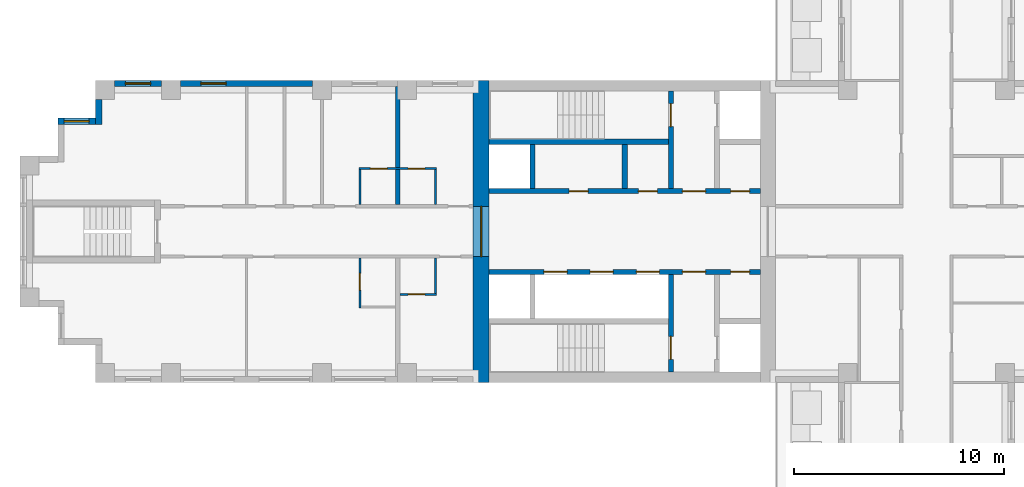
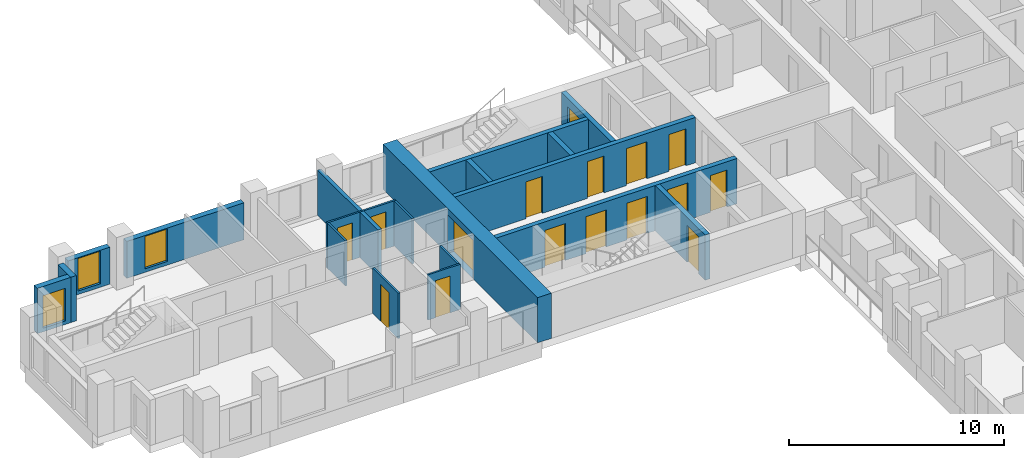
# One storey, part 6 of 15: 19 walls, 16 doors, 3 windows, 19 openings.
"""IFC4 building model written with IfcOpenShell, lengths in metres."""

from ifc_helpers import new_model, si_unit, direction, frame, frame_2d, origin, place, context, subcontext, project, spatial, rectangle, extrude, material, layer, layer_set, type_object, element, fill, save


model = new_model("IFC4")

# Units and contexts
model_context = context("Model", 3, precision=1e-05, world=origin(), true_north=direction((0.0, 1.0)))
body_context = subcontext(model_context, "Body", "Model", "MODEL_VIEW")
ifc_project = project(units=[si_unit("LENGTHUNIT", "METRE"), si_unit("AREAUNIT", "SQUARE_METRE"), si_unit("VOLUMEUNIT", "CUBIC_METRE"), si_unit("PLANEANGLEUNIT", "RADIAN"), si_unit("MASSUNIT", "GRAM", prefix="KILO")], contexts=[model_context])

# Site, building, storey
site_placement = place(None, origin())
site = spatial("IfcSite", under=ifc_project, at=site_placement, CompositionType="ELEMENT")
building_placement = place(site_placement, origin())
building = spatial("IfcBuilding", under=site, at=building_placement, Name="Fustian Cross Tower", CompositionType="ELEMENT")
storey_placement = place(building_placement, frame((0.0, 0.0, 50.699951171875)))
storey = spatial("IfcBuildingStorey", under=building, at=storey_placement, Name="L15", CompositionType="ELEMENT", Elevation=50.699951171875)

# Wall, opening, door
ifc_material_1 = material(Name="Concrete C80/95", Category="concrete")
ifc_layer_1 = layer(ifc_material_1, 0.75)
ifc_layer_set_1 = layer_set([ifc_layer_1], Name="Concrete C80/95")
wall_type_1 = type_object("IfcWallType", Name="CORE END WALL 750 C80/95", PredefinedType="SHEAR", material=ifc_layer_set_1)
wall_1_placement = place(storey_placement, frame((-21.22509765625, -7.199951171875, 0.0), z_axis=(0.0, 0.0, 1.0), x_axis=(0.0, 1.0, 0.0)))
wall_1 = element("IfcWall", 1, at=wall_1_placement, inside=storey, type_object=wall_type_1, Name="Core end wall", PredefinedType="SHEAR", context=body_context, shape_type="SweptSolid", body=[
    extrude(rectangle(XDim=14.39990234375, YDim=0.75, at=frame_2d((7.199951171875, 0.0))), origin(), (0.0, 0.0, 1.0), 2.574951171875),
])
opening_1_placement = place(wall_1_placement, frame((6.0, 0.0, 0.0)))
opening_1 = element("IfcOpeningElement", 2, at=opening_1_placement, cuts=wall_1, Name="Opening CD-05-28", PredefinedType="OPENING", context=body_context, shape_type="SweptSolid", body=[
    extrude(rectangle(XDim=2.39990234375, YDim=2.199951171875, at=frame_2d((1.199951171875, 1.10009765625))), frame((0.0, 0.385009765625, 0.0), z_axis=(0.0, -1.0, 0.0), x_axis=(1.0, 0.0, 0.0)), (0.0, 0.0, 1.0), 0.77001953125),
])
ifc_material_2 = material(Name="Steel", Category="steel")
door_type_1 = type_object("IfcDoorType", Name="FIRE DOOR FD30S DOUBLE 2400X2200", OperationType="DOUBLE_DOOR_DOUBLE_SWING", PredefinedType="DOOR", material=ifc_material_2)
door_1_placement = place(opening_1_placement, frame((2.39990234375, 0.0, 0.0), z_axis=(0.0, 0.0, 1.0), x_axis=(-1.0, 0.0, 0.0)))
door_1 = element("IfcDoor", 3, at=door_1_placement, inside=storey, type_object=door_type_1, Name="Core door CD-05-28", OperationType="DOUBLE_DOOR_DOUBLE_SWING", OverallHeight=2.199951171875, OverallWidth=2.39990234375, PredefinedType="DOOR", context=body_context, shape_type="SweptSolid", body=[
    extrude(rectangle(XDim=2.39990234375, YDim=2.199951171875, at=frame_2d((1.199951171875, 1.10009765625))), frame((0.0, 0.02490234375, 0.0), z_axis=(0.0, -1.0, 0.0), x_axis=(1.0, 0.0, 0.0)), (0.0, 0.0, 1.0), 0.050048828125),
])
fill(opening_1, door_1)

# Wall, openings, doors
ifc_material_3 = material(Name="Concrete C50/60", Category="concrete")
ifc_layer_2 = layer(ifc_material_3, 0.25)
ifc_layer_set_2 = layer_set([ifc_layer_2], Name="Concrete C50/60")
wall_type_2 = type_object("IfcWallType", Name="CORE LOBBY WALL 250 C50/60", PredefinedType="SHEAR", material=ifc_layer_set_2)
wall_2_placement = place(storey_placement, frame((-7.89990234375, 1.925048828125, 0.0), z_axis=(0.0, 0.0, 1.0), x_axis=(-1.0, 0.0, 0.0)))
wall_2 = element("IfcWall", 4, at=wall_2_placement, inside=storey, type_object=wall_type_2, Name="Core lobby wall", PredefinedType="SHEAR", context=body_context, shape_type="SweptSolid", body=[
    extrude(rectangle(XDim=12.9501953125, YDim=0.25, at=frame_2d((6.47509765625, 0.0))), origin(), (0.0, 0.0, 1.0), 2.574951171875),
])
opening_2_placement = place(wall_2_placement, frame((0.52490234375, 0.0, 0.0)))
opening_2 = element("IfcOpeningElement", 5, at=opening_2_placement, cuts=wall_2, Name="Opening CD-05-23", PredefinedType="OPENING", context=body_context, shape_type="SweptSolid", body=[
    extrude(rectangle(XDim=0.89990234375, YDim=2.10009765625, at=frame_2d((0.449951171875, 1.050048828125))), frame((0.0, 0.135009765625, 0.0), z_axis=(0.0, -1.0, 0.0), x_axis=(1.0, 0.0, 0.0)), (0.0, 0.0, 1.0), 0.27001953125),
])
opening_3_placement = place(wall_2_placement, frame((2.625, 0.0, 0.0)))
opening_3 = element("IfcOpeningElement", 6, at=opening_3_placement, cuts=wall_2, Name="Opening CD-05-25", PredefinedType="OPENING", context=body_context, shape_type="SweptSolid", body=[
    extrude(rectangle(XDim=1.10009765625, YDim=2.10009765625, at=frame_2d((0.550048828125, 1.050048828125))), frame((0.0, 0.135009765625, 0.0), z_axis=(0.0, -1.0, 0.0), x_axis=(1.0, 0.0, 0.0)), (0.0, 0.0, 1.0), 0.27001953125),
])
opening_4_placement = place(wall_2_placement, frame((4.925048828125, 0.0, 0.0)))
opening_4 = element("IfcOpeningElement", 7, at=opening_4_placement, cuts=wall_2, Name="Opening CD-05-29", PredefinedType="OPENING", context=body_context, shape_type="SweptSolid", body=[
    extrude(rectangle(XDim=0.89990234375, YDim=2.10009765625, at=frame_2d((0.449951171875, 1.050048828125))), frame((0.0, 0.135009765625, 0.0), z_axis=(0.0, -1.0, 0.0), x_axis=(1.0, 0.0, 0.0)), (0.0, 0.0, 1.0), 0.27001953125),
])
opening_5_placement = place(wall_2_placement, frame((8.22509765625, 0.0, 0.0)))
opening_5 = element("IfcOpeningElement", 8, at=opening_5_placement, cuts=wall_2, Name="Opening CD-05-30", PredefinedType="OPENING", context=body_context, shape_type="SweptSolid", body=[
    extrude(rectangle(XDim=0.89990234375, YDim=2.10009765625, at=frame_2d((0.449951171875, 1.050048828125))), frame((0.0, 0.135009765625, 0.0), z_axis=(0.0, -1.0, 0.0), x_axis=(1.0, 0.0, 0.0)), (0.0, 0.0, 1.0), 0.27001953125),
])
ifc_material_4 = material(Name="Steel", Category="steel")
door_type_2 = type_object("IfcDoorType", Name="FIRE DOOR FD30S 900X2100", OperationType="SINGLE_SWING_LEFT", PredefinedType="DOOR", material=ifc_material_4)
door_2_placement = place(opening_4_placement, frame((0.89990234375, 0.0, 0.0), z_axis=(0.0, 0.0, 1.0), x_axis=(-1.0, 0.0, 0.0)))
door_2 = element("IfcDoor", 9, at=door_2_placement, inside=storey, type_object=door_type_2, Name="Core door CD-05-29", OperationType="SINGLE_SWING_RIGHT", OverallHeight=2.10009765625, OverallWidth=0.89990234375, PredefinedType="DOOR", context=body_context, shape_type="SweptSolid", body=[
    extrude(rectangle(XDim=0.89990234375, YDim=2.10009765625, at=frame_2d((0.449951171875, 1.050048828125))), frame((0.0, 0.02490234375, 0.0), z_axis=(0.0, -1.0, 0.0), x_axis=(1.0, 0.0, 0.0)), (0.0, 0.0, 1.0), 0.050048828125),
])
fill(opening_4, door_2)
door_3_placement = place(opening_5_placement, frame((0.89990234375, 0.0, 0.0), z_axis=(0.0, 0.0, 1.0), x_axis=(-1.0, 0.0, 0.0)))
door_3 = element("IfcDoor", 10, at=door_3_placement, inside=storey, type_object=door_type_2, Name="Core door CD-05-30", OperationType="SINGLE_SWING_LEFT", OverallHeight=2.10009765625, OverallWidth=0.89990234375, PredefinedType="DOOR", context=body_context, shape_type="SweptSolid", body=[
    extrude(rectangle(XDim=0.89990234375, YDim=2.10009765625, at=frame_2d((0.449951171875, 1.050048828125))), frame((0.0, 0.02490234375, 0.0), z_axis=(0.0, -1.0, 0.0), x_axis=(1.0, 0.0, 0.0)), (0.0, 0.0, 1.0), 0.050048828125),
])
fill(opening_5, door_3)
ifc_material_5 = material(Name="Steel", Category="steel")
door_type_3 = type_object("IfcDoorType", Name="FIRE DOOR FD60S 1100X2100", OperationType="SINGLE_SWING_LEFT", PredefinedType="DOOR", material=ifc_material_5)
door_4_placement = place(opening_3_placement, frame((1.10009765625, 0.0, 0.0), z_axis=(0.0, 0.0, 1.0), x_axis=(-1.0, 0.0, 0.0)))
door_4 = element("IfcDoor", 11, at=door_4_placement, inside=storey, type_object=door_type_3, Name="Core door CD-05-25", OperationType="SINGLE_SWING_RIGHT", OverallHeight=2.10009765625, OverallWidth=1.10009765625, PredefinedType="DOOR", context=body_context, shape_type="SweptSolid", body=[
    extrude(rectangle(XDim=1.10009765625, YDim=2.10009765625, at=frame_2d((0.550048828125, 1.050048828125))), frame((0.0, 0.02490234375, 0.0), z_axis=(0.0, -1.0, 0.0), x_axis=(1.0, 0.0, 0.0)), (0.0, 0.0, 1.0), 0.050048828125),
])
fill(opening_3, door_4)
ifc_material_6 = material(Name="Steel", Category="steel")
door_type_4 = type_object("IfcDoorType", Name="FIRE DOOR FD60S 900X2100", OperationType="SINGLE_SWING_LEFT", PredefinedType="DOOR", material=ifc_material_6)
door_5_placement = place(opening_2_placement, frame((0.89990234375, 0.0, 0.0), z_axis=(0.0, 0.0, 1.0), x_axis=(-1.0, 0.0, 0.0)))
door_5 = element("IfcDoor", 12, at=door_5_placement, inside=storey, type_object=door_type_4, Name="Core door CD-05-23", OperationType="SINGLE_SWING_RIGHT", OverallHeight=2.10009765625, OverallWidth=0.89990234375, PredefinedType="DOOR", context=body_context, shape_type="SweptSolid", body=[
    extrude(rectangle(XDim=0.89990234375, YDim=2.10009765625, at=frame_2d((0.449951171875, 1.050048828125))), frame((0.0, 0.02490234375, 0.0), z_axis=(0.0, -1.0, 0.0), x_axis=(1.0, 0.0, 0.0)), (0.0, 0.0, 1.0), 0.050048828125),
])
fill(opening_2, door_5)

wall_3_placement = place(storey_placement, frame((-7.89990234375, -1.925048828125, 0.0), z_axis=(0.0, 0.0, 1.0), x_axis=(-1.0, 0.0, 0.0)))
wall_3 = element("IfcWall", 13, at=wall_3_placement, inside=storey, type_object=wall_type_2, Name="Core lobby wall", PredefinedType="SHEAR", context=body_context, shape_type="SweptSolid", body=[
    extrude(rectangle(XDim=12.9501953125, YDim=0.25, at=frame_2d((6.47509765625, 0.0))), origin(), (0.0, 0.0, 1.0), 2.574951171875),
])
opening_6_placement = place(wall_3_placement, frame((4.824951171875, 0.0, 0.0)))
opening_6 = element("IfcOpeningElement", 14, at=opening_6_placement, cuts=wall_3, Name="Opening LD", PredefinedType="OPENING", context=body_context, shape_type="SweptSolid", body=[
    extrude(rectangle(XDim=1.10009765625, YDim=2.10009765625, at=frame_2d((0.550048828125, 1.050048828125))), frame((0.0, 0.135009765625, 0.0), z_axis=(0.0, -1.0, 0.0), x_axis=(1.0, 0.0, 0.0)), (0.0, 0.0, 1.0), 0.27001953125),
])
opening_7_placement = place(wall_3_placement, frame((7.02490234375, 0.0, 0.0)))
opening_7 = element("IfcOpeningElement", 15, at=opening_7_placement, cuts=wall_3, Name="Opening LD", PredefinedType="OPENING", context=body_context, shape_type="SweptSolid", body=[
    extrude(rectangle(XDim=1.10009765625, YDim=2.10009765625, at=frame_2d((0.550048828125, 1.050048828125))), frame((0.0, 0.135009765625, 0.0), z_axis=(0.0, -1.0, 0.0), x_axis=(1.0, 0.0, 0.0)), (0.0, 0.0, 1.0), 0.27001953125),
])
opening_8_placement = place(wall_3_placement, frame((9.22509765625, 0.0, 0.0)))
opening_8 = element("IfcOpeningElement", 16, at=opening_8_placement, cuts=wall_3, Name="Opening LD", PredefinedType="OPENING", context=body_context, shape_type="SweptSolid", body=[
    extrude(rectangle(XDim=1.10009765625, YDim=2.10009765625, at=frame_2d((0.550048828125, 1.050048828125))), frame((0.0, 0.135009765625, 0.0), z_axis=(0.0, -1.0, 0.0), x_axis=(1.0, 0.0, 0.0)), (0.0, 0.0, 1.0), 0.27001953125),
])
opening_9_placement = place(wall_3_placement, frame((0.52490234375, 0.0, 0.0)))
opening_9 = element("IfcOpeningElement", 17, at=opening_9_placement, cuts=wall_3, Name="Opening CD-05-24", PredefinedType="OPENING", context=body_context, shape_type="SweptSolid", body=[
    extrude(rectangle(XDim=0.89990234375, YDim=2.10009765625, at=frame_2d((0.449951171875, 1.050048828125))), frame((0.0, 0.135009765625, 0.0), z_axis=(0.0, -1.0, 0.0), x_axis=(1.0, 0.0, 0.0)), (0.0, 0.0, 1.0), 0.27001953125),
])
opening_10_placement = place(wall_3_placement, frame((2.625, 0.0, 0.0)))
opening_10 = element("IfcOpeningElement", 18, at=opening_10_placement, cuts=wall_3, Name="Opening CD-05-26", PredefinedType="OPENING", context=body_context, shape_type="SweptSolid", body=[
    extrude(rectangle(XDim=1.10009765625, YDim=2.10009765625, at=frame_2d((0.550048828125, 1.050048828125))), frame((0.0, 0.135009765625, 0.0), z_axis=(0.0, -1.0, 0.0), x_axis=(1.0, 0.0, 0.0)), (0.0, 0.0, 1.0), 0.27001953125),
])
ifc_material_7 = material(Name="Steel", Category="steel")
door_type_5 = type_object("IfcDoorType", Name="FIRE DOOR FD30S 1100X2100", OperationType="SINGLE_SWING_LEFT", PredefinedType="DOOR", material=ifc_material_7)
door_6_placement = place(opening_10_placement, frame((1.10009765625, 0.0, 0.0), z_axis=(0.0, 0.0, 1.0), x_axis=(-1.0, 0.0, 0.0)))
door_6 = element("IfcDoor", 19, at=door_6_placement, inside=storey, type_object=door_type_5, Name="Core door CD-05-26", OperationType="SINGLE_SWING_RIGHT", OverallHeight=2.10009765625, OverallWidth=1.10009765625, PredefinedType="DOOR", context=body_context, shape_type="SweptSolid", body=[
    extrude(rectangle(XDim=1.10009765625, YDim=2.10009765625, at=frame_2d((0.550048828125, 1.050048828125))), frame((0.0, 0.02490234375, 0.0), z_axis=(0.0, -1.0, 0.0), x_axis=(1.0, 0.0, 0.0)), (0.0, 0.0, 1.0), 0.050048828125),
])
fill(opening_10, door_6)
door_7_placement = place(opening_9_placement, origin())
door_7 = element("IfcDoor", 20, at=door_7_placement, inside=storey, type_object=door_type_2, Name="Core door CD-05-24", OperationType="SINGLE_SWING_LEFT", OverallHeight=2.10009765625, OverallWidth=0.89990234375, PredefinedType="DOOR", context=body_context, shape_type="SweptSolid", body=[
    extrude(rectangle(XDim=0.89990234375, YDim=2.10009765625, at=frame_2d((0.449951171875, 1.050048828125))), frame((0.0, 0.02490234375, 0.0), z_axis=(0.0, -1.0, 0.0), x_axis=(1.0, 0.0, 0.0)), (0.0, 0.0, 1.0), 0.050048828125),
])
fill(opening_9, door_7)
ifc_material_8 = material(Name="Stainless steel", Category="steel")
door_type_6 = type_object("IfcDoorType", Name="LIFT LANDING DOOR 1100X2100", OperationType="SLIDING_TO_LEFT", PredefinedType="DOOR", material=ifc_material_8)
door_8_placement = place(opening_6_placement, origin())
door_8 = element("IfcDoor", 21, at=door_8_placement, inside=storey, type_object=door_type_6, Name="Landing door LR1W", OperationType="SLIDING_TO_LEFT", OverallHeight=2.10009765625, OverallWidth=1.10009765625, PredefinedType="DOOR", context=body_context, shape_type="SweptSolid", body=[
    extrude(rectangle(XDim=1.10009765625, YDim=2.10009765625, at=frame_2d((0.550048828125, 1.050048828125))), frame((0.0, 0.02490234375, 0.0), z_axis=(0.0, -1.0, 0.0), x_axis=(1.0, 0.0, 0.0)), (0.0, 0.0, 1.0), 0.050048828125),
])
fill(opening_6, door_8)
door_9_placement = place(opening_7_placement, origin())
door_9 = element("IfcDoor", 22, at=door_9_placement, inside=storey, type_object=door_type_6, Name="Landing door LR2W", OperationType="SLIDING_TO_LEFT", OverallHeight=2.10009765625, OverallWidth=1.10009765625, PredefinedType="DOOR", context=body_context, shape_type="SweptSolid", body=[
    extrude(rectangle(XDim=1.10009765625, YDim=2.10009765625, at=frame_2d((0.550048828125, 1.050048828125))), frame((0.0, 0.02490234375, 0.0), z_axis=(0.0, -1.0, 0.0), x_axis=(1.0, 0.0, 0.0)), (0.0, 0.0, 1.0), 0.050048828125),
])
fill(opening_7, door_9)
door_10_placement = place(opening_8_placement, origin())
door_10 = element("IfcDoor", 23, at=door_10_placement, inside=storey, type_object=door_type_6, Name="Landing door LR3W", OperationType="SLIDING_TO_LEFT", OverallHeight=2.10009765625, OverallWidth=1.10009765625, PredefinedType="DOOR", context=body_context, shape_type="SweptSolid", body=[
    extrude(rectangle(XDim=1.10009765625, YDim=2.10009765625, at=frame_2d((0.550048828125, 1.050048828125))), frame((0.0, 0.02490234375, 0.0), z_axis=(0.0, -1.0, 0.0), x_axis=(1.0, 0.0, 0.0)), (0.0, 0.0, 1.0), 0.050048828125),
])
fill(opening_8, door_10)

# Wall
ifc_material_9 = material(Name="Concrete C50/60", Category="concrete")
ifc_layer_3 = layer(ifc_material_9, 0.25)
ifc_layer_set_3 = layer_set([ifc_layer_3], Name="Concrete C50/60")
wall_type_3 = type_object("IfcWallType", Name="CORE SHAFT WALL 250 C50/60", PredefinedType="SHEAR", material=ifc_layer_set_3)
wall_4_placement = place(storey_placement, frame((-12.300048828125, 4.27490234375, 0.0), z_axis=(0.0, 0.0, 1.0), x_axis=(-1.0, 0.0, 0.0)))
element("IfcWall", 24, at=wall_4_placement, inside=storey, type_object=wall_type_3, Name="Core shaft wall", PredefinedType="SHEAR", context=body_context, shape_type="SweptSolid", body=[
    extrude(rectangle(XDim=8.550048828125, YDim=0.25, at=frame_2d((4.27490234375, 0.0))), origin(), (0.0, 0.0, 1.0), 2.574951171875),
])

# Wall, opening, door
wall_5_placement = place(storey_placement, frame((-12.175048828125, 2.050048828125, 0.0), z_axis=(0.0, 0.0, 1.0), x_axis=(0.0, 1.0, 0.0)))
wall_5 = element("IfcWall", 25, at=wall_5_placement, inside=storey, type_object=wall_type_3, Name="Core shaft wall", PredefinedType="SHEAR", context=body_context, shape_type="SweptSolid", body=[
    extrude(rectangle(XDim=4.64990234375, YDim=0.25, at=frame_2d((2.324951171875, 0.0))), origin(), (0.0, 0.0, 1.0), 2.574951171875),
])
opening_11_placement = place(wall_5_placement, frame((2.949951171875, 0.0, 0.0)))
opening_11 = element("IfcOpeningElement", 26, at=opening_11_placement, cuts=wall_5, Name="Opening CD-05-21", PredefinedType="OPENING", context=body_context, shape_type="SweptSolid", body=[
    extrude(rectangle(XDim=1.10009765625, YDim=2.10009765625, at=frame_2d((0.550048828125, 1.050048828125))), frame((0.0, 0.135009765625, 0.0), z_axis=(0.0, -1.0, 0.0), x_axis=(1.0, 0.0, 0.0)), (0.0, 0.0, 1.0), 0.27001953125),
])
door_11_placement = place(opening_11_placement, origin())
door_11 = element("IfcDoor", 27, at=door_11_placement, inside=storey, type_object=door_type_3, Name="Core door CD-05-21", OperationType="SINGLE_SWING_LEFT", OverallHeight=2.10009765625, OverallWidth=1.10009765625, PredefinedType="DOOR", context=body_context, shape_type="SweptSolid", body=[
    extrude(rectangle(XDim=1.10009765625, YDim=2.10009765625, at=frame_2d((0.550048828125, 1.050048828125))), frame((0.0, 0.02490234375, 0.0), z_axis=(0.0, -1.0, 0.0), x_axis=(1.0, 0.0, 0.0)), (0.0, 0.0, 1.0), 0.050048828125),
])
fill(opening_11, door_11)

wall_6_placement = place(storey_placement, frame((-12.175048828125, -2.050048828125, 0.0), z_axis=(0.0, 0.0, 1.0), x_axis=(0.0, -1.0, 0.0)))
wall_6 = element("IfcWall", 28, at=wall_6_placement, inside=storey, type_object=wall_type_3, Name="Core shaft wall", PredefinedType="SHEAR", context=body_context, shape_type="SweptSolid", body=[
    extrude(rectangle(XDim=4.64990234375, YDim=0.25, at=frame_2d((2.324951171875, 0.0))), origin(), (0.0, 0.0, 1.0), 2.574951171875),
])
opening_12_placement = place(wall_6_placement, frame((2.949951171875, 0.0, 0.0)))
opening_12 = element("IfcOpeningElement", 29, at=opening_12_placement, cuts=wall_6, Name="Opening CD-05-22", PredefinedType="OPENING", context=body_context, shape_type="SweptSolid", body=[
    extrude(rectangle(XDim=1.10009765625, YDim=2.10009765625, at=frame_2d((0.550048828125, 1.050048828125))), frame((0.0, 0.135009765625, 0.0), z_axis=(0.0, -1.0, 0.0), x_axis=(1.0, 0.0, 0.0)), (0.0, 0.0, 1.0), 0.27001953125),
])
door_12_placement = place(opening_12_placement, frame((1.10009765625, 0.0, 0.0), z_axis=(0.0, 0.0, 1.0), x_axis=(-1.0, 0.0, 0.0)))
door_12 = element("IfcDoor", 30, at=door_12_placement, inside=storey, type_object=door_type_3, Name="Core door CD-05-22", OperationType="SINGLE_SWING_RIGHT", OverallHeight=2.10009765625, OverallWidth=1.10009765625, PredefinedType="DOOR", context=body_context, shape_type="SweptSolid", body=[
    extrude(rectangle(XDim=1.10009765625, YDim=2.10009765625, at=frame_2d((0.550048828125, 1.050048828125))), frame((0.0, 0.02490234375, 0.0), z_axis=(0.0, -1.0, 0.0), x_axis=(1.0, 0.0, 0.0)), (0.0, 0.0, 1.0), 0.050048828125),
])
fill(opening_12, door_12)

ifc_material_10 = material(Name="Plasterboard on steel stud", Category="steel")
ifc_layer_4 = layer(ifc_material_10, 0.10009765625)
ifc_layer_set_4 = layer_set([ifc_layer_4], Name="Plasterboard on steel stud")
wall_type_4 = type_object("IfcWallType", Name="PARTITION 100 STUD", PredefinedType="PARTITIONING", material=ifc_layer_set_4)
wall_7_placement = place(storey_placement, frame((-27.0, -3.64990234375, 0.0), z_axis=(0.0, 0.0, 1.0), x_axis=(0.0, 1.0, 0.0)))
wall_7 = element("IfcWall", 31, at=wall_7_placement, inside=storey, type_object=wall_type_4, Name="Partition 7", PredefinedType="PARTITIONING", context=body_context, shape_type="SweptSolid", body=[
    extrude(rectangle(XDim=2.375, YDim=0.10009765625, at=frame_2d((1.1875, 0.0))), origin(), (0.0, 0.0, 1.0), 2.574951171875),
])
opening_13_placement = place(wall_7_placement, frame((0.85009765625, 0.0, 0.0)))
opening_13 = element("IfcOpeningElement", 32, at=opening_13_placement, cuts=wall_7, Name="Opening D08038", PredefinedType="OPENING", context=body_context, shape_type="SweptSolid", body=[
    extrude(rectangle(XDim=0.800048828125, YDim=2.10009765625, at=frame_2d((0.39990234375, 1.050048828125))), frame((0.0, 0.06005859375, 0.0), z_axis=(0.0, -1.0, 0.0), x_axis=(1.0, 0.0, 0.0)), (0.0, 0.0, 1.0), 0.1201171875),
])
ifc_material_11 = material(Name="Painted timber", Category="wood")
door_type_7 = type_object("IfcDoorType", Name="SWING DOOR 800", OperationType="SINGLE_SWING_LEFT", PredefinedType="DOOR", material=ifc_material_11)
door_13_placement = place(opening_13_placement, frame((0.800048828125, 0.0, 0.0), z_axis=(0.0, 0.0, 1.0), x_axis=(-1.0, 0.0, 0.0)))
door_13 = element("IfcDoor", 33, at=door_13_placement, inside=storey, type_object=door_type_7, Name="Door D08038", OperationType="SINGLE_SWING_RIGHT", OverallHeight=2.10009765625, OverallWidth=0.800048828125, PredefinedType="DOOR", context=body_context, shape_type="SweptSolid", body=[
    extrude(rectangle(XDim=0.800048828125, YDim=2.10009765625, at=frame_2d((0.39990234375, 1.050048828125))), frame((0.0, 0.02490234375, 0.0), z_axis=(0.0, -1.0, 0.0), x_axis=(1.0, 0.0, 0.0)), (0.0, 0.0, 1.0), 0.050048828125),
])
fill(opening_13, door_13)

# Wall
wall_8_placement = place(storey_placement, frame((-27.0, 1.27490234375, 0.0), z_axis=(0.0, 0.0, 1.0), x_axis=(0.0, 1.0, 0.0)))
element("IfcWall", 34, at=wall_8_placement, inside=storey, type_object=wall_type_4, Name="Partition 9", PredefinedType="PARTITIONING", context=body_context, shape_type="SweptSolid", body=[
    extrude(rectangle(XDim=1.675048828125, YDim=0.10009765625, at=frame_2d((0.83740234375, 0.0))), origin(), (0.0, 0.0, 1.0), 2.574951171875),
])

# Wall, openings, doors
wall_9_placement = place(storey_placement, frame((-27.050048828125, 3.0, 0.0), z_axis=(0.0, 0.0, 1.0), x_axis=(1.0, 0.0, 0.0)))
wall_9 = element("IfcWall", 35, at=wall_9_placement, inside=storey, type_object=wall_type_4, Name="Partition 10", PredefinedType="PARTITIONING", context=body_context, shape_type="SweptSolid", body=[
    extrude(rectangle(XDim=3.699951171875, YDim=0.10009765625, at=frame_2d((1.85009765625, 0.0))), origin(), (0.0, 0.0, 1.0), 2.574951171875),
])
opening_14_placement = place(wall_9_placement, frame((2.35009765625, 0.0, 0.0)))
opening_14 = element("IfcOpeningElement", 36, at=opening_14_placement, cuts=wall_9, Name="Opening D08041", PredefinedType="OPENING", context=body_context, shape_type="SweptSolid", body=[
    extrude(rectangle(XDim=0.800048828125, YDim=2.10009765625, at=frame_2d((0.39990234375, 1.050048828125))), frame((0.0, 0.06005859375, 0.0), z_axis=(0.0, -1.0, 0.0), x_axis=(1.0, 0.0, 0.0)), (0.0, 0.0, 1.0), 0.1201171875),
])
opening_15_placement = place(wall_9_placement, frame((0.550048828125, 0.0, 0.0)))
opening_15 = element("IfcOpeningElement", 37, at=opening_15_placement, cuts=wall_9, Name="Opening D08043", PredefinedType="OPENING", context=body_context, shape_type="SweptSolid", body=[
    extrude(rectangle(XDim=0.800048828125, YDim=2.10009765625, at=frame_2d((0.39990234375, 1.050048828125))), frame((0.0, 0.06005859375, 0.0), z_axis=(0.0, -1.0, 0.0), x_axis=(1.0, 0.0, 0.0)), (0.0, 0.0, 1.0), 0.1201171875),
])
door_14_placement = place(opening_14_placement, frame((0.800048828125, 0.0, 0.0), z_axis=(0.0, 0.0, 1.0), x_axis=(-1.0, 0.0, 0.0)))
door_14 = element("IfcDoor", 38, at=door_14_placement, inside=storey, type_object=door_type_7, Name="Door D08041", OperationType="SINGLE_SWING_LEFT", OverallHeight=2.10009765625, OverallWidth=0.800048828125, PredefinedType="DOOR", context=body_context, shape_type="SweptSolid", body=[
    extrude(rectangle(XDim=0.800048828125, YDim=2.10009765625, at=frame_2d((0.39990234375, 1.050048828125))), frame((0.0, 0.02490234375, 0.0), z_axis=(0.0, -1.0, 0.0), x_axis=(1.0, 0.0, 0.0)), (0.0, 0.0, 1.0), 0.050048828125),
])
fill(opening_14, door_14)
door_15_placement = place(opening_15_placement, frame((0.800048828125, 0.0, 0.0), z_axis=(0.0, 0.0, 1.0), x_axis=(-1.0, 0.0, 0.0)))
door_15 = element("IfcDoor", 39, at=door_15_placement, inside=storey, type_object=door_type_7, Name="Door D08043", OperationType="SINGLE_SWING_LEFT", OverallHeight=2.10009765625, OverallWidth=0.800048828125, PredefinedType="DOOR", context=body_context, shape_type="SweptSolid", body=[
    extrude(rectangle(XDim=0.800048828125, YDim=2.10009765625, at=frame_2d((0.39990234375, 1.050048828125))), frame((0.0, 0.02490234375, 0.0), z_axis=(0.0, -1.0, 0.0), x_axis=(1.0, 0.0, 0.0)), (0.0, 0.0, 1.0), 0.050048828125),
])
fill(opening_15, door_15)

# Wall, opening, door
wall_10_placement = place(storey_placement, frame((-25.10009765625, -3.0, 0.0), z_axis=(0.0, 0.0, 1.0), x_axis=(1.0, 0.0, 0.0)))
wall_10 = element("IfcWall", 40, at=wall_10_placement, inside=storey, type_object=wall_type_4, Name="Partition 12", PredefinedType="PARTITIONING", context=body_context, shape_type="SweptSolid", body=[
    extrude(rectangle(XDim=1.75, YDim=0.10009765625, at=frame_2d((0.875, 0.0))), origin(), (0.0, 0.0, 1.0), 2.574951171875),
])
opening_16_placement = place(wall_10_placement, frame((0.39990234375, 0.0, 0.0)))
opening_16 = element("IfcOpeningElement", 41, at=opening_16_placement, cuts=wall_10, Name="Opening D08036", PredefinedType="OPENING", context=body_context, shape_type="SweptSolid", body=[
    extrude(rectangle(XDim=0.800048828125, YDim=2.10009765625, at=frame_2d((0.39990234375, 1.050048828125))), frame((0.0, 0.06005859375, 0.0), z_axis=(0.0, -1.0, 0.0), x_axis=(1.0, 0.0, 0.0)), (0.0, 0.0, 1.0), 0.1201171875),
])
door_16_placement = place(opening_16_placement, origin())
door_16 = element("IfcDoor", 42, at=door_16_placement, inside=storey, type_object=door_type_7, Name="Door D08036", OperationType="SINGLE_SWING_RIGHT", OverallHeight=2.10009765625, OverallWidth=0.800048828125, PredefinedType="DOOR", context=body_context, shape_type="SweptSolid", body=[
    extrude(rectangle(XDim=0.800048828125, YDim=2.10009765625, at=frame_2d((0.39990234375, 1.050048828125))), frame((0.0, 0.02490234375, 0.0), z_axis=(0.0, -1.0, 0.0), x_axis=(1.0, 0.0, 0.0)), (0.0, 0.0, 1.0), 0.050048828125),
])
fill(opening_16, door_16)

# Walls
for number, where, z_axis, x_axis, name in (
    (43, (-23.39990234375, -2.949951171875, 0.0), (0.0, 0.0, 1.0), (0.0, 1.0, 0.0), "Partition 14"),
    (44, (-23.39990234375, 1.27490234375, 0.0), (0.0, 0.0, 1.0), (0.0, 1.0, 0.0), "Partition 15"),
):
    element("IfcWall", number, at=place(storey_placement, frame(where, z_axis=z_axis, x_axis=x_axis)), inside=storey, type_object=wall_type_4, Name=name, PredefinedType="PARTITIONING", context=body_context, shape_type="SweptSolid", body=[
        extrude(rectangle(XDim=1.675048828125, YDim=0.10009765625, at=frame_2d((0.83740234375, 0.0))), origin(), (0.0, 0.0, 1.0), 2.574951171875),
    ])
ifc_material_12 = material(Name="Plasterboard on steel stud", Category="steel")
ifc_layer_5 = layer(ifc_material_12, 0.199951171875)
ifc_layer_set_5 = layer_set([ifc_layer_5], Name="Plasterboard on steel stud")
wall_type_5 = type_object("IfcWallType", Name="PARTY WALL 200 EI 60", PredefinedType="PARTITIONING", material=ifc_layer_set_5)
wall_11_placement = place(storey_placement, frame((-25.199951171875, 1.27490234375, 0.0), z_axis=(0.0, 0.0, 1.0), x_axis=(0.0, 1.0, 0.0)))
element("IfcWall", 45, at=wall_11_placement, inside=storey, type_object=wall_type_5, Name="Partition 13", PredefinedType="PARTITIONING", context=body_context, shape_type="SweptSolid", body=[
    extrude(rectangle(XDim=5.625, YDim=0.199951171875, at=frame_2d((2.8125, 0.0))), origin(), (0.0, 0.0, 1.0), 2.574951171875),
])
ifc_material_13 = material(Name="Concrete C40/50", Category="concrete")
ifc_layer_6 = layer(ifc_material_13, 0.25)
ifc_layer_set_6 = layer_set([ifc_layer_6], Name="Concrete C40/50")
wall_type_6 = type_object("IfcWallType", Name="SHAFT PARTITION WALL 250 C40/50", PredefinedType="PARTITIONING", material=ifc_layer_set_6)
for number, where, z_axis, x_axis, name in (
    (46, (-14.375, 2.050048828125, 0.0), (0.0, 0.0, 1.0), (0.0, 1.0, 0.0), "Core shaft wall"),
    (47, (-18.77490234375, 2.050048828125, 0.0), (0.0, 0.0, 1.0), (0.0, 1.0, 0.0), "Core shaft wall"),
):
    element("IfcWall", number, at=place(storey_placement, frame(where, z_axis=z_axis, x_axis=x_axis)), inside=storey, type_object=wall_type_6, Name=name, PredefinedType="PARTITIONING", context=body_context, shape_type="SweptSolid", body=[
        extrude(rectangle(XDim=2.099853515625, YDim=0.25, at=frame_2d((1.0498046875, 0.0))), origin(), (0.0, 0.0, 1.0), 2.574951171875),
    ])

# Wall, opening, window
ifc_material_14 = material(Name="Dark aluminium cladding on insulated backing wall", Category="aluminium")
ifc_layer_7 = layer(ifc_material_14, 0.300048828125)
ifc_layer_set_7 = layer_set([ifc_layer_7], Name="Dark aluminium cladding on insulated backing wall")
wall_type_7 = type_object("IfcWallType", Name="XW1 EXTERNAL WALL 300", PredefinedType="SOLIDWALL", material=ifc_layer_set_7)
wall_12_placement = place(storey_placement, frame((-29.25, 7.050048828125, 0.0), z_axis=(0.0, 0.0, 1.0), x_axis=(-1.0, 0.0, 0.0)))
wall_12 = element("IfcWall", 48, at=wall_12_placement, inside=storey, type_object=wall_type_7, Name="External wall", PredefinedType="SOLIDWALL", context=body_context, shape_type="SweptSolid", body=[
    extrude(rectangle(XDim=6.300048828125, YDim=0.300048828125, at=frame_2d((3.14990234375, 0.0))), origin(), (0.0, 0.0, 1.0), 2.10009765625),
])
opening_17_placement = place(wall_12_placement, frame((4.125, 0.0, 0.199951171875)))
opening_17 = element("IfcOpeningElement", 49, at=opening_17_placement, cuts=wall_12, Name="Opening WN3", PredefinedType="OPENING", context=body_context, shape_type="SweptSolid", body=[
    extrude(rectangle(XDim=1.199951171875, YDim=1.85009765625, at=frame_2d((0.60009765625, 0.925048828125))), frame((0.0, 0.159912109375, 0.0), z_axis=(0.0, -1.0, 0.0), x_axis=(1.0, 0.0, 0.0)), (0.0, 0.0, 1.0), 0.320068359375),
])
ifc_material_15 = material(Name="Dark anodised aluminium and double glazing", Category="aluminium")
window_type = type_object("IfcWindowType", Name="WN3 WINDOW 1200X1850", PartitioningType="SINGLE_PANEL", PredefinedType="WINDOW", material=ifc_material_15)
window_1_placement = place(opening_17_placement, origin())
window_1 = element("IfcWindow", 50, at=window_1_placement, inside=storey, type_object=window_type, Name="Window", OverallHeight=1.85009765625, OverallWidth=1.199951171875, PartitioningType="SINGLE_PANEL", PredefinedType="WINDOW", context=body_context, shape_type="SweptSolid", body=[
    extrude(rectangle(XDim=1.199951171875, YDim=1.85009765625, at=frame_2d((0.60009765625, 0.925048828125))), frame((0.0, 0.030029296875, 0.0), z_axis=(0.0, -1.0, 0.0), x_axis=(1.0, 0.0, 0.0)), (0.0, 0.0, 1.0), 0.06005859375),
])
fill(opening_17, window_1)

wall_13_placement = place(storey_placement, frame((-36.449951171875, 7.050048828125, 0.0), z_axis=(0.0, 0.0, 1.0), x_axis=(-1.0, 0.0, 0.0)))
wall_13 = element("IfcWall", 51, at=wall_13_placement, inside=storey, type_object=wall_type_7, Name="External wall", PredefinedType="SOLIDWALL", context=body_context, shape_type="SweptSolid", body=[
    extrude(rectangle(XDim=2.25, YDim=0.300048828125, at=frame_2d((1.125, 0.0))), origin(), (0.0, 0.0, 1.0), 2.10009765625),
])
opening_18_placement = place(wall_13_placement, frame((0.52490234375, 0.0, 0.199951171875)))
opening_18 = element("IfcOpeningElement", 52, at=opening_18_placement, cuts=wall_13, Name="Opening WN3", PredefinedType="OPENING", context=body_context, shape_type="SweptSolid", body=[
    extrude(rectangle(XDim=1.199951171875, YDim=1.85009765625, at=frame_2d((0.60009765625, 0.925048828125))), frame((0.0, 0.159912109375, 0.0), z_axis=(0.0, -1.0, 0.0), x_axis=(1.0, 0.0, 0.0)), (0.0, 0.0, 1.0), 0.320068359375),
])
window_2_placement = place(opening_18_placement, origin())
window_2 = element("IfcWindow", 53, at=window_2_placement, inside=storey, type_object=window_type, Name="Window", OverallHeight=1.85009765625, OverallWidth=1.199951171875, PartitioningType="SINGLE_PANEL", PredefinedType="WINDOW", context=body_context, shape_type="SweptSolid", body=[
    extrude(rectangle(XDim=1.199951171875, YDim=1.85009765625, at=frame_2d((0.60009765625, 0.925048828125))), frame((0.0, 0.030029296875, 0.0), z_axis=(0.0, -1.0, 0.0), x_axis=(1.0, 0.0, 0.0)), (0.0, 0.0, 1.0), 0.06005859375),
])
fill(opening_18, window_2)

# Wall
wall_14_placement = place(storey_placement, frame((-39.449951171875, 6.300048828125, 0.0), z_axis=(0.0, 0.0, 1.0), x_axis=(0.0, -1.0, 0.0)))
element("IfcWall", 54, at=wall_14_placement, inside=storey, type_object=wall_type_7, Name="External wall", PredefinedType="SOLIDWALL", context=body_context, shape_type="SweptSolid", body=[
    extrude(rectangle(XDim=1.199951171875, YDim=0.300048828125, at=frame_2d((0.60009765625, 0.0))), origin(), (0.0, 0.0, 1.0), 2.574951171875),
])

# Wall, opening, window
wall_15_placement = place(storey_placement, frame((-39.60009765625, 5.25, 0.0), z_axis=(0.0, 0.0, 1.0), x_axis=(-1.0, 0.0, 0.0)))
wall_15 = element("IfcWall", 55, at=wall_15_placement, inside=storey, type_object=wall_type_7, Name="External wall", PredefinedType="SOLIDWALL", context=body_context, shape_type="SweptSolid", body=[
    extrude(rectangle(XDim=1.7998046875, YDim=0.300048828125, at=frame_2d((0.89990234375, 0.0))), origin(), (0.0, 0.0, 1.0), 2.574951171875),
])
opening_19_placement = place(wall_15_placement, frame((0.300048828125, 0.0, 0.199951171875)))
opening_19 = element("IfcOpeningElement", 56, at=opening_19_placement, cuts=wall_15, Name="Opening WN3", PredefinedType="OPENING", context=body_context, shape_type="SweptSolid", body=[
    extrude(rectangle(XDim=1.199951171875, YDim=1.85009765625, at=frame_2d((0.60009765625, 0.925048828125))), frame((0.0, 0.159912109375, 0.0), z_axis=(0.0, -1.0, 0.0), x_axis=(1.0, 0.0, 0.0)), (0.0, 0.0, 1.0), 0.320068359375),
])
window_3_placement = place(opening_19_placement, origin())
window_3 = element("IfcWindow", 57, at=window_3_placement, inside=storey, type_object=window_type, Name="Window", OverallHeight=1.85009765625, OverallWidth=1.199951171875, PartitioningType="SINGLE_PANEL", PredefinedType="WINDOW", context=body_context, shape_type="SweptSolid", body=[
    extrude(rectangle(XDim=1.199951171875, YDim=1.85009765625, at=frame_2d((0.60009765625, 0.925048828125))), frame((0.0, 0.030029296875, 0.0), z_axis=(0.0, -1.0, 0.0), x_axis=(1.0, 0.0, 0.0)), (0.0, 0.0, 1.0), 0.06005859375),
])
fill(opening_19, window_3)

save(model, "model.ifc")
